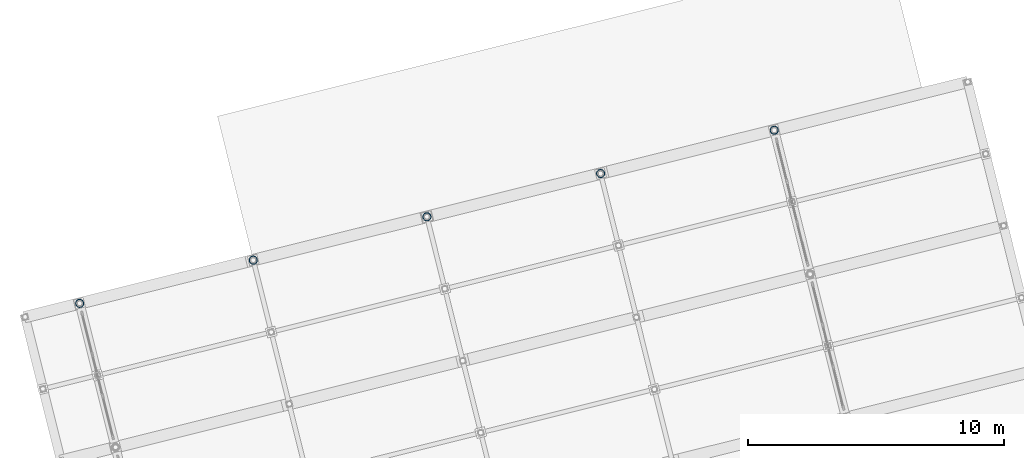
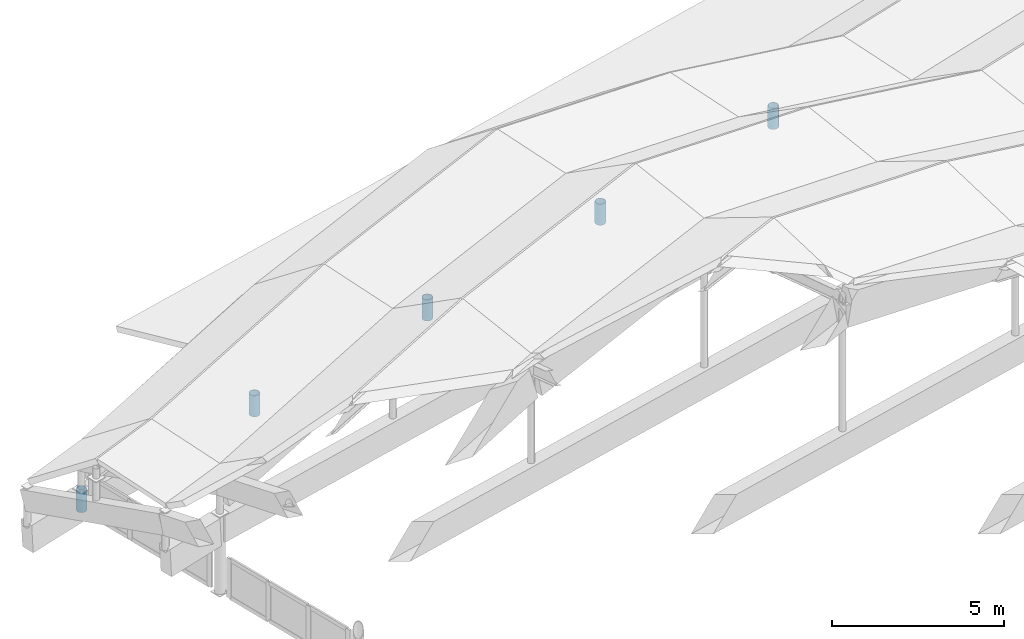
# One storey, part 7 of 65: 5 columns.
"""IFC4 building model written with IfcOpenShell, lengths in metres."""

from ifc_helpers import new_model, si_unit, direction, frame, origin, origin_2d, place, context, subcontext, project, spatial, hollow_circle, extrude, material, material_profile, profile_set, type_object, element, save


model = new_model("IFC4")

# Units and contexts
model_context = context("Model", 3, precision=1e-05, world=origin(), true_north=direction((0.0, 1.0)))
body_context = subcontext(model_context, "Body", "Model", "MODEL_VIEW")
ifc_project = project(units=[si_unit("LENGTHUNIT", "METRE"), si_unit("AREAUNIT", "SQUARE_METRE"), si_unit("VOLUMEUNIT", "CUBIC_METRE"), si_unit("PLANEANGLEUNIT", "RADIAN"), si_unit("MASSUNIT", "GRAM", prefix="KILO")], contexts=[model_context])

# Site, building, storey
site_placement = place(None, origin())
site = spatial("IfcSite", under=ifc_project, at=site_placement, CompositionType="ELEMENT")
building_placement = place(site_placement, origin())
building = spatial("IfcBuilding", under=site, at=building_placement, Name="Cinderway Yard Community Centre", CompositionType="ELEMENT")
storey_placement = place(building_placement, frame((0.0, 0.0, 24.300048828125)))
storey = spatial("IfcBuildingStorey", under=building, at=storey_placement, Name="RF", CompositionType="ELEMENT", Elevation=24.300048828125)

# Columns
ifc_material = material(Name="Steel S355", Category="steel")
ifc_material_profile = material_profile(ifc_material, hollow_circle(Radius=0.161865234375, WallThickness=0.01611328125, at=origin_2d()), Name="Steel S355")
ifc_profile_set = profile_set([ifc_material_profile], Name="Steel S355")
column_type = type_object("IfcColumnType", Name="STR-POST-CHS324", PredefinedType="PILASTER", material=ifc_profile_set)
for number, where, z_axis, x_axis, name in (
    (1, (9.987060546875, 64.510986328125, -11.400146484375), (0.0, 0.0, 1.0), (1.0, 0.0, 0.0), "Main Hall perimeter post W08"),
    (2, (37.156005859375, 71.284912109375, -11.400146484375), (0.0, 0.0, 1.0), (1.0, 0.0, 0.0), "Main Hall perimeter post E08"),
    (3, (16.779052734375, 66.2041015625, -11.400146484375), (0.0, 0.0, 1.0), (1.0, 0.0, 0.0), "Main Hall arch-end post NU07"),
    (4, (23.572021484375, 67.89794921875, -11.400146484375), (0.0, 0.0, 1.0), (1.0, 0.0, 0.0), "Main Hall arch-end post NU14"),
    (5, (30.364013671875, 69.591064453125, -11.400146484375), (0.0, 0.0, 1.0), (1.0, 0.0, 0.0), "Main Hall arch-end post NU21"),
):
    element("IfcColumn", number, at=place(storey_placement, frame(where, z_axis=z_axis, x_axis=x_axis)), inside=storey, type_object=column_type, Name=name, PredefinedType="PILASTER", context=body_context, shape_type="SweptSolid", body=[
        extrude(hollow_circle(Radius=0.161865234375, WallThickness=0.01611328125, at=origin_2d()), origin(), (0.0, 0.0, 1.0), 0.75),
    ])

save(model, "model.ifc")
